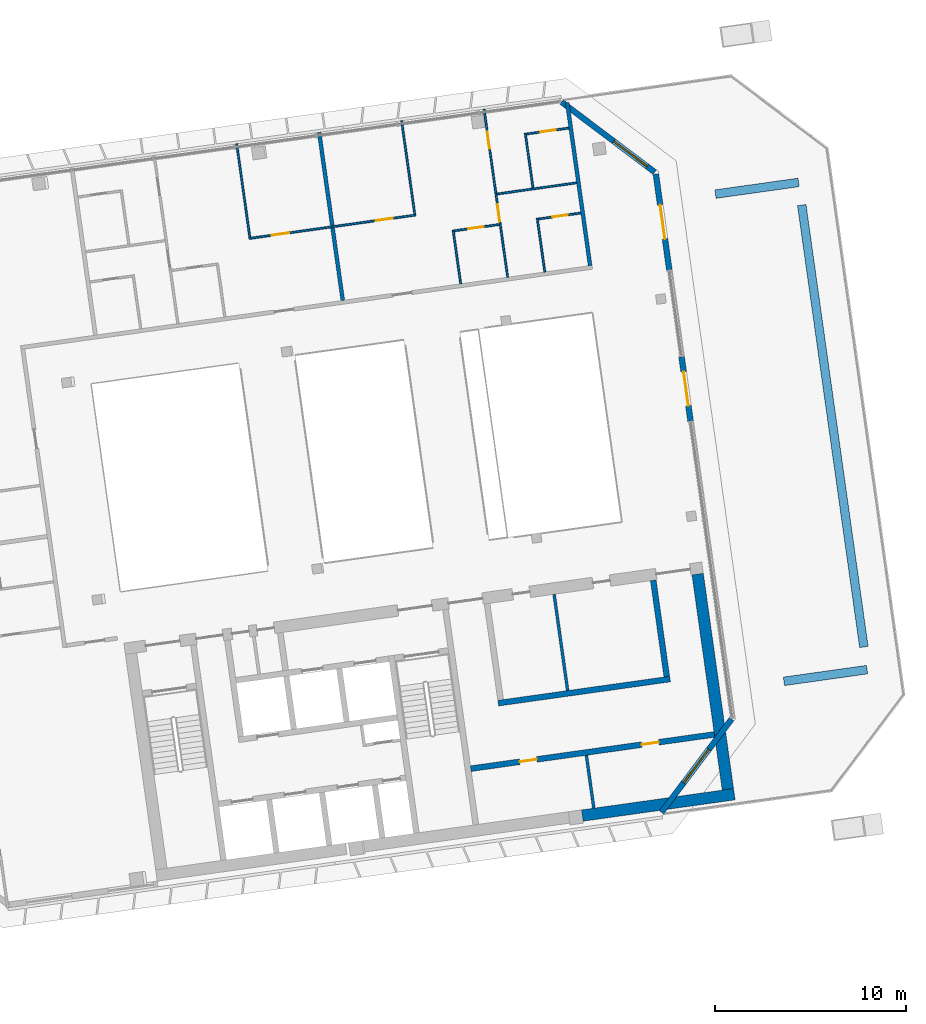
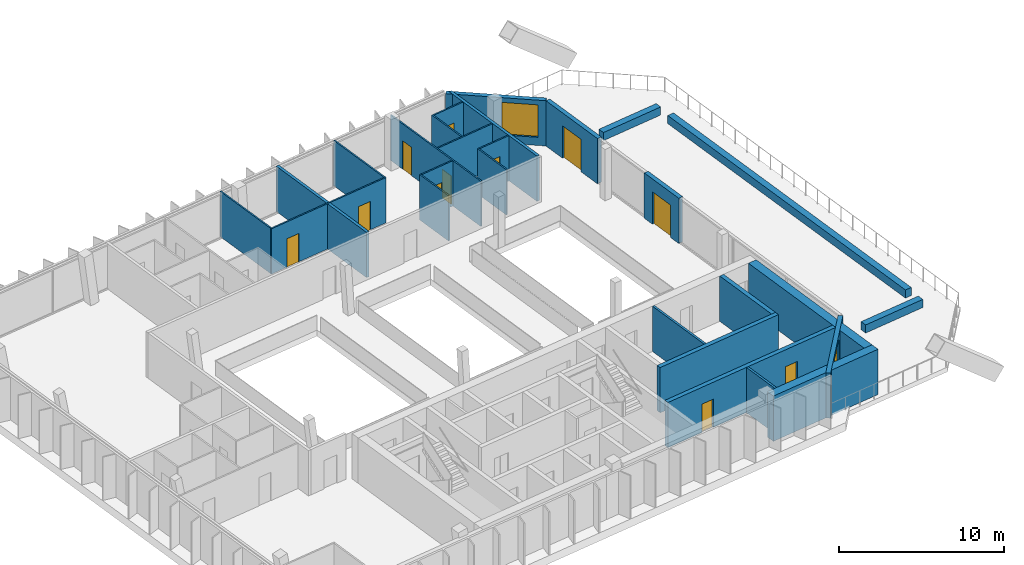
# One storey, part 15 of 19: 27 walls, 11 doors, 2 windows, 13 openings.
"""IFC4 building model written with IfcOpenShell, lengths in metres."""

from ifc_helpers import new_model, si_unit, direction, frame, frame_2d, origin, place, context, subcontext, project, spatial, rectangle, extrude, material, layer, layer_set, type_object, element, fill, save


model = new_model("IFC4")

# Units and contexts
model_context = context("Model", 3, precision=1e-05, world=origin(), true_north=direction((0.0, 1.0)))
body_context = subcontext(model_context, "Body", "Model", "MODEL_VIEW")
ifc_project = project(units=[si_unit("LENGTHUNIT", "METRE"), si_unit("AREAUNIT", "SQUARE_METRE"), si_unit("VOLUMEUNIT", "CUBIC_METRE"), si_unit("PLANEANGLEUNIT", "RADIAN"), si_unit("MASSUNIT", "GRAM", prefix="KILO")], contexts=[model_context])

# Site, building, storey
site_placement = place(None, origin())
site = spatial("IfcSite", under=ifc_project, at=site_placement, CompositionType="ELEMENT")
building_placement = place(site_placement, origin())
building = spatial("IfcBuilding", under=site, at=building_placement, Name="Mirante Cascada Hotel Towers", CompositionType="ELEMENT")
storey_placement = place(building_placement, frame((0.0, 0.0, 231.8)))
storey = spatial("IfcBuildingStorey", under=building, at=storey_placement, Name="L55", CompositionType="ELEMENT", Elevation=231.8)

# Walls
ifc_material_1 = material(Name="Fire-rated plasterboard on metal studs")
ifc_layer_1 = layer(ifc_material_1, 0.2)
ifc_layer_set_1 = layer_set([ifc_layer_1], Name="Compartment wall 200 EI 120")
wall_type_1 = type_object("IfcWallType", Name="Compartment wall 200 EI 120", PredefinedType="PARTITIONING", material=ifc_layer_set_1)
wall_1_placement = place(storey_placement, frame((47.0829, 10.6001, 0.0), z_axis=(0.0, 0.0, 1.0), x_axis=(-0.1391794, 0.9902672, 0.0)))
element("IfcWall", 1, at=wall_1_placement, inside=storey, type_object=wall_type_1, Name="Wall 2-L55-30", PredefinedType="PARTITIONING", context=body_context, shape_type="SweptSolid", body=[
    extrude(rectangle(XDim=8.9, YDim=0.2, at=frame_2d((4.45, 0.0))), origin(), (0.0, 0.0, 1.0), 3.35),
])
wall_2_placement = place(storey_placement, frame((60.0533, 12.423, 0.0), z_axis=(0.0, 0.0, 1.0), x_axis=(-0.1391698, 0.9902685, 0.0)))
element("IfcWall", 2, at=wall_2_placement, inside=storey, type_object=wall_type_1, Name="Wall 2-L55-36", PredefinedType="PARTITIONING", context=body_context, shape_type="SweptSolid", body=[
    extrude(rectangle(XDim=8.6319, YDim=0.2, at=frame_2d((4.316, 0.0))), origin(), (0.0, 0.0, 1.0), 3.35),
])
ifc_material_2 = material(Name="Masonry block", Category="masonry")
ifc_layer_2 = layer(ifc_material_2, 0.15)
ifc_layer_set_2 = layer_set([ifc_layer_2], Name="Core room partition 150 block EI 30")
wall_type_2 = type_object("IfcWallType", Name="Core room partition 150 block EI 30", PredefinedType="PARTITIONING", material=ifc_layer_set_2)
wall_3_placement = place(storey_placement, frame((60.2465, -16.027, 0.0), z_axis=(0.0, 0.0, 1.0), x_axis=(-0.1391459, 0.9902719, 0.0)))
element("IfcWall", 3, at=wall_3_placement, inside=storey, type_object=wall_type_2, Name="Core wall partition T2 L55 6", PredefinedType="PARTITIONING", context=body_context, shape_type="SweptSolid", body=[
    extrude(rectangle(XDim=2.7999, YDim=0.15, at=frame_2d((1.4, 0.0))), origin(), (0.0, 0.0, 1.0), 3.35),
])
wall_4_placement = place(storey_placement, frame((58.8746, -9.8579, 0.0), z_axis=(0.0, 0.0, 1.0), x_axis=(-0.1391755, 0.9902677, 0.0)))
element("IfcWall", 4, at=wall_4_placement, inside=storey, type_object=wall_type_2, Name="Core wall partition T2 L55 7", PredefinedType="PARTITIONING", context=body_context, shape_type="SweptSolid", body=[
    extrude(rectangle(XDim=5.1, YDim=0.15, at=frame_2d((2.55, 0.0))), origin(), (0.0, 0.0, 1.0), 3.35),
])

# Wall, openings, doors
ifc_material_3 = material(Name="Masonry block", Category="masonry")
ifc_layer_3 = layer(ifc_material_3, 0.3)
ifc_layer_set_3 = layer_set([ifc_layer_3], Name="Core wall 300 block EI 120")
wall_type_3 = type_object("IfcWallType", Name="Core wall 300 block EI 120", PredefinedType="PARTITIONING", material=ifc_layer_set_3)
wall_5_placement = place(storey_placement, frame((53.7953, -13.9547, 0.0), z_axis=(0.0, 0.0, 1.0), x_axis=(0.9902674, 0.1391777, 0.0)))
wall_5 = element("IfcWall", 5, at=wall_5_placement, inside=storey, type_object=wall_type_3, Name="Core wall partition T2 L55 5", PredefinedType="PARTITIONING", context=body_context, shape_type="SweptSolid", body=[
    extrude(rectangle(XDim=12.9001, YDim=0.3, at=frame_2d((6.45, 0.0))), origin(), (0.0, 0.0, 1.0), 3.35),
])
opening_1_placement = place(wall_5_placement, frame((2.6, 0.0, 0.0)))
opening_1 = element("IfcOpeningElement", 6, at=opening_1_placement, cuts=wall_5, Name="Opening D2-55-C18", PredefinedType="OPENING", context=body_context, shape_type="SweptSolid", body=[
    extrude(rectangle(XDim=0.9, YDim=2.1, at=frame_2d((0.45, 1.05))), frame((0.0, 0.15, 0.0), z_axis=(0.0, -1.0, 0.0), x_axis=(1.0, 0.0, 0.0)), (0.0, 0.0, 1.0), 0.3),
])
opening_2_placement = place(wall_5_placement, frame((9.05, 0.0, 0.0)))
opening_2 = element("IfcOpeningElement", 7, at=opening_2_placement, cuts=wall_5, Name="Opening D2-55-C19", PredefinedType="OPENING", context=body_context, shape_type="SweptSolid", body=[
    extrude(rectangle(XDim=0.9, YDim=2.1, at=frame_2d((0.45, 1.05))), frame((0.0, 0.15, 0.0), z_axis=(0.0, -1.0, 0.0), x_axis=(1.0, 0.0, 0.0)), (0.0, 0.0, 1.0), 0.3),
])
ifc_material_4 = material(Name="Hollow metal fire door leaf")
door_type_1 = type_object("IfcDoorType", Name="Fire door 900x2100 FD60", OperationType="NOTDEFINED", PredefinedType="DOOR", material=ifc_material_4)
door_1_placement = place(opening_1_placement, frame((0.9, 0.0, 0.0), z_axis=(0.0, 0.0, 1.0), x_axis=(-1.0, 0.0, 0.0)))
door_1 = element("IfcDoor", 8, at=door_1_placement, inside=storey, type_object=door_type_1, Name="Room door T2 L55 18", OperationType="SINGLE_SWING_LEFT", OverallHeight=2.1, OverallWidth=0.9, PredefinedType="DOOR", context=body_context, shape_type="SweptSolid", body=[
    extrude(rectangle(XDim=0.9, YDim=2.1, at=frame_2d((0.45, 1.05))), frame((0.0, 0.025, 0.0), z_axis=(0.0, -1.0, 0.0), x_axis=(1.0, 0.0, 0.0)), (0.0, 0.0, 1.0), 0.05),
])
fill(opening_1, door_1)
door_2_placement = place(opening_2_placement, frame((0.9, 0.0, 0.0), z_axis=(0.0, 0.0, 1.0), x_axis=(-1.0, 0.0, 0.0)))
door_2 = element("IfcDoor", 9, at=door_2_placement, inside=storey, type_object=door_type_1, Name="Room door T2 L55 19", OperationType="SINGLE_SWING_RIGHT", OverallHeight=2.1, OverallWidth=0.9, PredefinedType="DOOR", context=body_context, shape_type="SweptSolid", body=[
    extrude(rectangle(XDim=0.9, YDim=2.1, at=frame_2d((0.45, 1.05))), frame((0.0, 0.025, 0.0), z_axis=(0.0, -1.0, 0.0), x_axis=(1.0, 0.0, 0.0)), (0.0, 0.0, 1.0), 0.05),
])
fill(opening_2, door_2)

# Wall, opening, door
ifc_material_5 = material(Name="Plasterboard on metal studs")
ifc_layer_4 = layer(ifc_material_5, 0.1)
ifc_layer_set_4 = layer_set([ifc_layer_4], Name="Partition 100")
wall_type_4 = type_object("IfcWallType", Name="Partition 100", PredefinedType="PARTITIONING", material=ifc_layer_set_4)
wall_6_placement = place(storey_placement, frame((55.2906, 14.5811, 0.0), z_axis=(0.0, 0.0, 1.0), x_axis=(-0.9902711, -0.1391515, 0.0)))
wall_6 = element("IfcWall", 10, at=wall_6_placement, inside=storey, type_object=wall_type_4, Name="Wall 2-L55-11", PredefinedType="PARTITIONING", context=body_context, shape_type="SweptSolid", body=[
    extrude(rectangle(XDim=2.3873, YDim=0.1, at=frame_2d((1.1937, 0.0))), origin(), (0.0, 0.0, 1.0), 3.35),
])
opening_3_placement = place(wall_6_placement, frame((0.8373, 0.0, 0.0)))
opening_3 = element("IfcOpeningElement", 11, at=opening_3_placement, cuts=wall_6, Name="Opening D2-L55-08", PredefinedType="OPENING", context=body_context, shape_type="SweptSolid", body=[
    extrude(rectangle(XDim=0.8, YDim=2.1, at=frame_2d((0.4, 1.05))), frame((0.0, 0.05, 0.0), z_axis=(0.0, -1.0, 0.0), x_axis=(1.0, 0.0, 0.0)), (0.0, 0.0, 1.0), 0.1),
])
ifc_material_6 = material(Name="Timber door leaf", Category="wood")
door_type_2 = type_object("IfcDoorType", Name="Bathroom door DG4 800x2100", OperationType="SINGLE_SWING_LEFT", PredefinedType="DOOR", material=ifc_material_6)
door_3_placement = place(opening_3_placement, frame((0.8, 0.0, 0.0), z_axis=(0.0, 0.0, 1.0), x_axis=(-1.0, 0.0, 0.0)))
door_3 = element("IfcDoor", 12, at=door_3_placement, inside=storey, type_object=door_type_2, Name="Door D2-L55-08", OperationType="SINGLE_SWING_RIGHT", OverallHeight=2.1, OverallWidth=0.8, PredefinedType="DOOR", context=body_context, shape_type="SweptSolid", body=[
    extrude(rectangle(XDim=0.8, YDim=2.1, at=frame_2d((0.4, 1.05))), frame((0.0, 0.025, 0.0), z_axis=(0.0, -1.0, 0.0), x_axis=(1.0, 0.0, 0.0)), (0.0, 0.0, 1.0), 0.05),
])
fill(opening_3, door_3)

wall_7_placement = place(storey_placement, frame((57.3365, 14.8687, 0.0), z_axis=(0.0, 0.0, 1.0), x_axis=(0.9902705, 0.1391561, 0.0)))
wall_7 = element("IfcWall", 13, at=wall_7_placement, inside=storey, type_object=wall_type_4, Name="Wall 2-L55-12", PredefinedType="PARTITIONING", context=body_context, shape_type="SweptSolid", body=[
    extrude(rectangle(XDim=2.25, YDim=0.1, at=frame_2d((1.125, 0.0))), origin(), (0.0, 0.0, 1.0), 3.35),
])
opening_4_placement = place(wall_7_placement, frame((0.75, 0.0, 0.0)))
opening_4 = element("IfcOpeningElement", 14, at=opening_4_placement, cuts=wall_7, Name="Opening D2-L55-09", PredefinedType="OPENING", context=body_context, shape_type="SweptSolid", body=[
    extrude(rectangle(XDim=0.8, YDim=2.1, at=frame_2d((0.4, 1.05))), frame((0.0, 0.05, 0.0), z_axis=(0.0, -1.0, 0.0), x_axis=(1.0, 0.0, 0.0)), (0.0, 0.0, 1.0), 0.1),
])
door_4_placement = place(opening_4_placement, frame((0.8, 0.0, 0.0), z_axis=(0.0, 0.0, 1.0), x_axis=(-1.0, 0.0, 0.0)))
door_4 = element("IfcDoor", 15, at=door_4_placement, inside=storey, type_object=door_type_2, Name="Door D2-L55-09", OperationType="SINGLE_SWING_RIGHT", OverallHeight=2.1, OverallWidth=0.8, PredefinedType="DOOR", context=body_context, shape_type="SweptSolid", body=[
    extrude(rectangle(XDim=0.8, YDim=2.1, at=frame_2d((0.4, 1.05))), frame((0.0, 0.025, 0.0), z_axis=(0.0, -1.0, 0.0), x_axis=(1.0, 0.0, 0.0)), (0.0, 0.0, 1.0), 0.05),
])
fill(opening_4, door_4)

# Wall, openings, doors
wall_8_placement = place(storey_placement, frame((50.913, 15.0767, 0.0), z_axis=(0.0, 0.0, 1.0), x_axis=(-0.9902689, -0.1391669, 0.0)))
wall_8 = element("IfcWall", 16, at=wall_8_placement, inside=storey, type_object=wall_type_4, Name="Wall 2-L55-13", PredefinedType="PARTITIONING", context=body_context, shape_type="SweptSolid", body=[
    extrude(rectangle(XDim=8.8318, YDim=0.1, at=frame_2d((4.4159, 0.0))), origin(), (0.0, 0.0, 1.0), 3.35),
])
opening_5_placement = place(wall_8_placement, frame((6.7159, 0.0, 0.0)))
opening_5 = element("IfcOpeningElement", 17, at=opening_5_placement, cuts=wall_8, Name="Opening D2-L55-10", PredefinedType="OPENING", context=body_context, shape_type="SweptSolid", body=[
    extrude(rectangle(XDim=0.9, YDim=2.1, at=frame_2d((0.45, 1.05))), frame((0.0, 0.05, 0.0), z_axis=(0.0, -1.0, 0.0), x_axis=(1.0, 0.0, 0.0)), (0.0, 0.0, 1.0), 0.1),
])
opening_6_placement = place(wall_8_placement, frame((1.2159, 0.0, 0.0)))
opening_6 = element("IfcOpeningElement", 18, at=opening_6_placement, cuts=wall_8, Name="Opening D2-L55-11", PredefinedType="OPENING", context=body_context, shape_type="SweptSolid", body=[
    extrude(rectangle(XDim=0.9, YDim=2.1, at=frame_2d((0.45, 1.05))), frame((0.0, 0.05, 0.0), z_axis=(0.0, -1.0, 0.0), x_axis=(1.0, 0.0, 0.0)), (0.0, 0.0, 1.0), 0.1),
])
ifc_material_7 = material(Name="Timber door leaf", Category="wood")
door_type_3 = type_object("IfcDoorType", Name="Room door DG3 900x2100", OperationType="SINGLE_SWING_LEFT", PredefinedType="DOOR", material=ifc_material_7)
door_5_placement = place(opening_5_placement, frame((0.9, 0.0, 0.0), z_axis=(0.0, 0.0, 1.0), x_axis=(-1.0, 0.0, 0.0)))
door_5 = element("IfcDoor", 19, at=door_5_placement, inside=storey, type_object=door_type_3, Name="Door D2-L55-10", OperationType="SINGLE_SWING_RIGHT", OverallHeight=2.1, OverallWidth=0.9, PredefinedType="DOOR", context=body_context, shape_type="SweptSolid", body=[
    extrude(rectangle(XDim=0.9, YDim=2.1, at=frame_2d((0.45, 1.05))), frame((0.0, 0.025, 0.0), z_axis=(0.0, -1.0, 0.0), x_axis=(1.0, 0.0, 0.0)), (0.0, 0.0, 1.0), 0.05),
])
fill(opening_5, door_5)
door_6_placement = place(opening_6_placement, frame((0.9, 0.0, 0.0), z_axis=(0.0, 0.0, 1.0), x_axis=(-1.0, 0.0, 0.0)))
door_6 = element("IfcDoor", 20, at=door_6_placement, inside=storey, type_object=door_type_3, Name="Door D2-L55-11", OperationType="SINGLE_SWING_RIGHT", OverallHeight=2.1, OverallWidth=0.9, PredefinedType="DOOR", context=body_context, shape_type="SweptSolid", body=[
    extrude(rectangle(XDim=0.9, YDim=2.1, at=frame_2d((0.45, 1.05))), frame((0.0, 0.025, 0.0), z_axis=(0.0, -1.0, 0.0), x_axis=(1.0, 0.0, 0.0)), (0.0, 0.0, 1.0), 0.05),
])
fill(opening_6, door_6)

# Wall
wall_9_placement = place(storey_placement, frame((59.3419, 16.7662, 0.0), z_axis=(0.0, 0.0, 1.0), x_axis=(-0.99027, -0.1391596, 0.0)))
element("IfcWall", 21, at=wall_9_placement, inside=storey, type_object=wall_type_4, Name="Wall 2-L55-15", PredefinedType="PARTITIONING", context=body_context, shape_type="SweptSolid", body=[
    extrude(rectangle(XDim=4.216, YDim=0.1, at=frame_2d((2.108, 0.0))), origin(), (0.0, 0.0, 1.0), 3.35),
])

# Wall, opening, door
wall_10_placement = place(storey_placement, frame((58.9383, 19.638, 0.0), z_axis=(0.0, 0.0, 1.0), x_axis=(-0.9902705, -0.1391561, 0.0)))
wall_10 = element("IfcWall", 22, at=wall_10_placement, inside=storey, type_object=wall_type_4, Name="Wall 2-L55-17", PredefinedType="PARTITIONING", context=body_context, shape_type="SweptSolid", body=[
    extrude(rectangle(XDim=2.25, YDim=0.1, at=frame_2d((1.125, 0.0))), origin(), (0.0, 0.0, 1.0), 3.35),
])
opening_7_placement = place(wall_10_placement, frame((0.7, 0.0, 0.0)))
opening_7 = element("IfcOpeningElement", 23, at=opening_7_placement, cuts=wall_10, Name="Opening D2-L55-13", PredefinedType="OPENING", context=body_context, shape_type="SweptSolid", body=[
    extrude(rectangle(XDim=0.8, YDim=2.1, at=frame_2d((0.4, 1.05))), frame((0.0, 0.05, 0.0), z_axis=(0.0, -1.0, 0.0), x_axis=(1.0, 0.0, 0.0)), (0.0, 0.0, 1.0), 0.1),
])
door_7_placement = place(opening_7_placement, origin())
door_7 = element("IfcDoor", 24, at=door_7_placement, inside=storey, type_object=door_type_2, Name="Door D2-L55-13", OperationType="SINGLE_SWING_LEFT", OverallHeight=2.1, OverallWidth=0.8, PredefinedType="DOOR", context=body_context, shape_type="SweptSolid", body=[
    extrude(rectangle(XDim=0.8, YDim=2.1, at=frame_2d((0.4, 1.05))), frame((0.0, 0.025, 0.0), z_axis=(0.0, -1.0, 0.0), x_axis=(1.0, 0.0, 0.0)), (0.0, 0.0, 1.0), 0.05),
])
fill(opening_7, door_7)

# Walls
wall_11_placement = place(storey_placement, frame((41.5207, 18.8059, 0.0), z_axis=(0.0, 0.0, 1.0), x_axis=(0.1391697, -0.9902685, 0.0)))
element("IfcWall", 25, at=wall_11_placement, inside=storey, type_object=wall_type_4, Name="Wall 2-L55-29", PredefinedType="PARTITIONING", context=body_context, shape_type="SweptSolid", body=[
    extrude(rectangle(XDim=4.9501, YDim=0.1, at=frame_2d((2.475, 0.0))), origin(), (0.0, 0.0, 1.0), 3.35),
])
wall_12_placement = place(storey_placement, frame((50.1676, 20.0211, 0.0), z_axis=(0.0, 0.0, 1.0), x_axis=(0.1391725, -0.9902682, 0.0)))
element("IfcWall", 26, at=wall_12_placement, inside=storey, type_object=wall_type_4, Name="Wall 2-L55-31", PredefinedType="PARTITIONING", context=body_context, shape_type="SweptSolid", body=[
    extrude(rectangle(XDim=4.95, YDim=0.1, at=frame_2d((2.475, 0.0))), origin(), (0.0, 0.0, 1.0), 3.35),
])
wall_13_placement = place(storey_placement, frame((53.2667, 11.4692, 0.0), z_axis=(0.0, 0.0, 1.0), x_axis=(-0.1391957, 0.9902649, 0.0)))
element("IfcWall", 27, at=wall_13_placement, inside=storey, type_object=wall_type_4, Name="Wall 2-L55-32", PredefinedType="PARTITIONING", context=body_context, shape_type="SweptSolid", body=[
    extrude(rectangle(XDim=2.8499, YDim=0.1, at=frame_2d((1.425, 0.0))), origin(), (0.0, 0.0, 1.0), 3.35),
])

# Wall, openings, doors
wall_14_placement = place(storey_placement, frame((54.4911, 20.6287, 0.0), z_axis=(0.0, 0.0, 1.0), x_axis=(0.1391794, -0.9902672, 0.0)))
wall_14 = element("IfcWall", 28, at=wall_14_placement, inside=storey, type_object=wall_type_4, Name="Wall 2-L55-33", PredefinedType="PARTITIONING", context=body_context, shape_type="SweptSolid", body=[
    extrude(rectangle(XDim=8.9, YDim=0.1, at=frame_2d((4.45, 0.0))), origin(), (0.0, 0.0, 1.0), 3.35),
])
opening_8_placement = place(wall_14_placement, frame((5.05, 0.0, 0.0)))
opening_8 = element("IfcOpeningElement", 29, at=opening_8_placement, cuts=wall_14, Name="Opening D2-L55-21", PredefinedType="OPENING", context=body_context, shape_type="SweptSolid", body=[
    extrude(rectangle(XDim=0.9, YDim=2.1, at=frame_2d((0.45, 1.05))), frame((0.0, 0.05, 0.0), z_axis=(0.0, -1.0, 0.0), x_axis=(1.0, 0.0, 0.0)), (0.0, 0.0, 1.0), 0.1),
])
opening_9_placement = place(wall_14_placement, frame((1.2, 0.0, 0.0)))
opening_9 = element("IfcOpeningElement", 30, at=opening_9_placement, cuts=wall_14, Name="Opening D2-L55-22", PredefinedType="OPENING", context=body_context, shape_type="SweptSolid", body=[
    extrude(rectangle(XDim=0.9, YDim=2.1, at=frame_2d((0.45, 1.05))), frame((0.0, 0.05, 0.0), z_axis=(0.0, -1.0, 0.0), x_axis=(1.0, 0.0, 0.0)), (0.0, 0.0, 1.0), 0.1),
])
door_8_placement = place(opening_8_placement, frame((0.9, 0.0, 0.0), z_axis=(0.0, 0.0, 1.0), x_axis=(-1.0, 0.0, 0.0)))
door_8 = element("IfcDoor", 31, at=door_8_placement, inside=storey, type_object=door_type_3, Name="Door D2-L55-21", OperationType="SINGLE_SWING_RIGHT", OverallHeight=2.1, OverallWidth=0.9, PredefinedType="DOOR", context=body_context, shape_type="SweptSolid", body=[
    extrude(rectangle(XDim=0.9, YDim=2.1, at=frame_2d((0.45, 1.05))), frame((0.0, 0.025, 0.0), z_axis=(0.0, -1.0, 0.0), x_axis=(1.0, 0.0, 0.0)), (0.0, 0.0, 1.0), 0.05),
])
fill(opening_8, door_8)
door_9_placement = place(opening_9_placement, frame((0.9, 0.0, 0.0), z_axis=(0.0, 0.0, 1.0), x_axis=(-1.0, 0.0, 0.0)))
door_9 = element("IfcDoor", 32, at=door_9_placement, inside=storey, type_object=door_type_3, Name="Door D2-L55-22", OperationType="SINGLE_SWING_RIGHT", OverallHeight=2.1, OverallWidth=0.9, PredefinedType="DOOR", context=body_context, shape_type="SweptSolid", body=[
    extrude(rectangle(XDim=0.9, YDim=2.1, at=frame_2d((0.45, 1.05))), frame((0.0, 0.025, 0.0), z_axis=(0.0, -1.0, 0.0), x_axis=(1.0, 0.0, 0.0)), (0.0, 0.0, 1.0), 0.05),
])
fill(opening_9, door_9)

# Walls
wall_15_placement = place(storey_placement, frame((57.6766, 12.089, 0.0), z_axis=(0.0, 0.0, 1.0), x_axis=(-0.1391613, 0.9902697, 0.0)))
element("IfcWall", 33, at=wall_15_placement, inside=storey, type_object=wall_type_4, Name="Wall 2-L55-34", PredefinedType="PARTITIONING", context=body_context, shape_type="SweptSolid", body=[
    extrude(rectangle(XDim=2.8499, YDim=0.1, at=frame_2d((1.425, 0.0))), origin(), (0.0, 0.0, 1.0), 3.35),
])
wall_16_placement = place(storey_placement, frame((56.6537, 19.3674, 0.0), z_axis=(0.0, 0.0, 1.0), x_axis=(0.1391714, -0.9902683, 0.0)))
element("IfcWall", 34, at=wall_16_placement, inside=storey, type_object=wall_type_4, Name="Wall 2-L55-35", PredefinedType="PARTITIONING", context=body_context, shape_type="SweptSolid", body=[
    extrude(rectangle(XDim=2.9, YDim=0.1, at=frame_2d((1.45, 0.0))), origin(), (0.0, 0.0, 1.0), 3.35),
])
ifc_material_8 = material(Name="Precast concrete C40/50", Category="concrete")
ifc_layer_5 = layer(ifc_material_8, 0.45)
ifc_layer_set_5 = layer_set([ifc_layer_5], Name="Planter wall 450 concrete C40/50")
wall_type_5 = type_object("IfcWallType", Name="Planter wall 450 concrete C40/50", PredefinedType="PARAPET", material=ifc_layer_set_5)
wall_17_placement = place(storey_placement, frame((70.2177, -9.3745, 0.0), z_axis=(0.0, 0.0, 1.0), x_axis=(0.9902701, 0.1391587, 0.0)))
element("IfcWall", 35, at=wall_17_placement, inside=storey, type_object=wall_type_5, Name="PLANTER T2 L55 bed 1", PredefinedType="PARAPET", context=body_context, shape_type="SweptSolid", body=[
    extrude(rectangle(XDim=4.4, YDim=0.45, at=frame_2d((2.2, 0.0))), origin(), (0.0, 0.0, 1.0), 0.6),
])
wall_18_placement = place(storey_placement, frame((66.6271, 16.1744, 0.0), z_axis=(0.0, 0.0, 1.0), x_axis=(0.9902696, 0.1391619, 0.0)))
element("IfcWall", 36, at=wall_18_placement, inside=storey, type_object=wall_type_5, Name="PLANTER T2 L55 bed 2", PredefinedType="PARAPET", context=body_context, shape_type="SweptSolid", body=[
    extrude(rectangle(XDim=4.3999, YDim=0.45, at=frame_2d((2.2, 0.0))), origin(), (0.0, 0.0, 1.0), 0.6),
])
wall_19_placement = place(storey_placement, frame((74.4079, -7.5739, 0.0), z_axis=(0.0, 0.0, 1.0), x_axis=(-0.1391708, 0.9902684, 0.0)))
element("IfcWall", 37, at=wall_19_placement, inside=storey, type_object=wall_type_5, Name="PLANTER T2 L55 bed 3", PredefinedType="PARAPET", context=body_context, shape_type="SweptSolid", body=[
    extrude(rectangle(XDim=23.4, YDim=0.45, at=frame_2d((11.7, 0.0))), origin(), (0.0, 0.0, 1.0), 0.6),
])

# Wall, opening, window
ifc_material_9 = material(Name="Precast concrete C40/50", Category="concrete")
ifc_layer_6 = layer(ifc_material_9, 0.3)
ifc_layer_set_6 = layer_set([ifc_layer_6], Name="Precast concrete C40/50 cladding wall 300")
wall_type_6 = type_object("IfcWallType", Name="Precast concrete C40/50 cladding wall 300", PredefinedType="STANDARD", material=ifc_layer_set_6)
wall_20_placement = place(storey_placement, frame((63.7926, -16.2417, 0.0), z_axis=(0.0, 0.0, 1.0), x_axis=(0.6018245, 0.7986283, 0.0)))
wall_20 = element("IfcWall", 38, at=wall_20_placement, inside=storey, type_object=wall_type_6, Name="Corner cladding wall T2 L55 rear outer", PredefinedType="STANDARD", context=body_context, shape_type="SweptSolid", body=[
    extrude(rectangle(XDim=6.1157, YDim=0.3, at=frame_2d((3.0578, 0.0))), origin(), (0.0, 0.0, 1.0), 3.35),
])
opening_10_placement = place(wall_20_placement, frame((1.9428, 0.0, 0.6)))
opening_10 = element("IfcOpeningElement", 39, at=opening_10_placement, cuts=wall_20, Name="Opening W2-55-03", PredefinedType="OPENING", context=body_context, shape_type="SweptSolid", body=[
    extrude(rectangle(XDim=2.2, YDim=2.4, at=frame_2d((1.1, 1.2))), frame((0.0, 0.15, 0.0), z_axis=(0.0, -1.0, 0.0), x_axis=(1.0, 0.0, 0.0)), (0.0, 0.0, 1.0), 0.3),
])
ifc_material_10 = material(Name="Aluminium frame with clear double glazing", Category="aluminium")
window_type = type_object("IfcWindowType", Name="Corner suite window 2200x2400", PartitioningType="DOUBLE_PANEL_VERTICAL", PredefinedType="WINDOW", material=ifc_material_10)
window_1_placement = place(opening_10_placement, origin())
window_1 = element("IfcWindow", 40, at=window_1_placement, inside=storey, type_object=window_type, Name="Window W2-55-03", OverallHeight=2.4, OverallWidth=2.2, PartitioningType="SINGLE_PANEL", PredefinedType="WINDOW", context=body_context, shape_type="SweptSolid", body=[
    extrude(rectangle(XDim=2.2, YDim=2.4, at=frame_2d((1.1, 1.2))), frame((0.0, 0.03, 0.0), z_axis=(0.0, -1.0, 0.0), x_axis=(1.0, 0.0, 0.0)), (0.0, 0.0, 1.0), 0.06),
])
fill(opening_10, window_1)

wall_21_placement = place(storey_placement, frame((63.4422, 17.324, 0.0), z_axis=(0.0, 0.0, 1.0), x_axis=(-0.7986362, 0.6018141, 0.0)))
wall_21 = element("IfcWall", 41, at=wall_21_placement, inside=storey, type_object=wall_type_6, Name="Corner cladding wall T2 L55 outer front", PredefinedType="STANDARD", context=body_context, shape_type="SweptSolid", body=[
    extrude(rectangle(XDim=6.1157, YDim=0.3, at=frame_2d((3.0578, 0.0))), origin(), (0.0, 0.0, 1.0), 3.35),
])
opening_11_placement = place(wall_21_placement, frame((0.4975, 0.0, 0.6)))
opening_11 = element("IfcOpeningElement", 42, at=opening_11_placement, cuts=wall_21, Name="Opening W2-55-04", PredefinedType="OPENING", context=body_context, shape_type="SweptSolid", body=[
    extrude(rectangle(XDim=2.2, YDim=2.4, at=frame_2d((1.1, 1.2))), frame((0.0, 0.15, 0.0), z_axis=(0.0, -1.0, 0.0), x_axis=(1.0, 0.0, 0.0)), (0.0, 0.0, 1.0), 0.3),
])
window_2_placement = place(opening_11_placement, origin())
window_2 = element("IfcWindow", 43, at=window_2_placement, inside=storey, type_object=window_type, Name="Window W2-55-04", OverallHeight=2.4, OverallWidth=2.2, PartitioningType="SINGLE_PANEL", PredefinedType="WINDOW", context=body_context, shape_type="SweptSolid", body=[
    extrude(rectangle(XDim=2.2, YDim=2.4, at=frame_2d((1.1, 1.2))), frame((0.0, 0.03, 0.0), z_axis=(0.0, -1.0, 0.0), x_axis=(1.0, 0.0, 0.0)), (0.0, 0.0, 1.0), 0.06),
])
fill(opening_11, window_2)

# Wall, opening, door
ifc_material_11 = material(Name="Precast concrete C40/50", Category="concrete")
ifc_layer_7 = layer(ifc_material_11, 0.3)
ifc_layer_set_7 = layer_set([ifc_layer_7], Name="Precast concrete C40/50 terrace wall 300")
wall_type_7 = type_object("IfcWallType", Name="Precast concrete C40/50 terrace wall 300", PredefinedType="STANDARD", material=ifc_layer_set_7)
wall_22_placement = place(storey_placement, frame((65.3202, 4.2767, 0.0), z_axis=(0.0, 0.0, 1.0), x_axis=(-0.1391769, 0.9902675, 0.0)))
wall_22 = element("IfcWall", 44, at=wall_22_placement, inside=storey, type_object=wall_type_7, Name="Lounge door pier wall T2 L55 2", PredefinedType="STANDARD", context=body_context, shape_type="SweptSolid", body=[
    extrude(rectangle(XDim=3.4, YDim=0.3, at=frame_2d((1.7, 0.0))), origin(), (0.0, 0.0, 1.0), 3.35),
])
opening_12_placement = place(wall_22_placement, frame((0.8, 0.0, 0.0)))
opening_12 = element("IfcOpeningElement", 45, at=opening_12_placement, cuts=wall_22, Name="Opening D2-55-91", PredefinedType="OPENING", context=body_context, shape_type="SweptSolid", body=[
    extrude(rectangle(XDim=1.8, YDim=2.4, at=frame_2d((0.9, 1.2))), frame((0.0, 0.15, 0.0), z_axis=(0.0, -1.0, 0.0), x_axis=(1.0, 0.0, 0.0)), (0.0, 0.0, 1.0), 0.3),
])
ifc_material_12 = material(Name="Aluminium frame with clear laminated glazing", Category="aluminium")
door_type_4 = type_object("IfcDoorType", Name="Terrace double door 1800x2400", OperationType="DOUBLE_DOOR_SINGLE_SWING", PredefinedType="DOOR", material=ifc_material_12)
door_10_placement = place(opening_12_placement, origin())
door_10 = element("IfcDoor", 46, at=door_10_placement, inside=storey, type_object=door_type_4, Name="Terrace door D2-55-91", OperationType="DOUBLE_DOOR_SINGLE_SWING", OverallHeight=2.4, OverallWidth=1.8, PredefinedType="DOOR", context=body_context, shape_type="SweptSolid", body=[
    extrude(rectangle(XDim=0.895, YDim=2.4, at=frame_2d((0.4475, 1.2))), frame((0.0, 0.025, 0.0), z_axis=(0.0, -1.0, 0.0), x_axis=(1.0, 0.0, 0.0)), (0.0, 0.0, 1.0), 0.05),
    extrude(rectangle(XDim=0.895, YDim=2.4, at=frame_2d((1.3525, 1.2))), frame((0.0, 0.025, 0.0), z_axis=(0.0, -1.0, 0.0), x_axis=(1.0, 0.0, 0.0)), (0.0, 0.0, 1.0), 0.05),
])
fill(opening_12, door_10)

wall_23_placement = place(storey_placement, frame((64.2068, 12.1988, 0.0), z_axis=(0.0, 0.0, 1.0), x_axis=(-0.1391676, 0.9902688, 0.0)))
wall_23 = element("IfcWall", 47, at=wall_23_placement, inside=storey, type_object=wall_type_7, Name="Lounge door pier wall T2 L55 4", PredefinedType="STANDARD", context=body_context, shape_type="SweptSolid", body=[
    extrude(rectangle(XDim=5.0759, YDim=0.3, at=frame_2d((2.538, 0.0))), origin(), (0.0, 0.0, 1.0), 3.35),
])
opening_13_placement = place(wall_23_placement, frame((1.6379, 0.0, 0.0)))
opening_13 = element("IfcOpeningElement", 48, at=opening_13_placement, cuts=wall_23, Name="Opening D2-55-92", PredefinedType="OPENING", context=body_context, shape_type="SweptSolid", body=[
    extrude(rectangle(XDim=1.8, YDim=2.4, at=frame_2d((0.9, 1.2))), frame((0.0, 0.15, 0.0), z_axis=(0.0, -1.0, 0.0), x_axis=(1.0, 0.0, 0.0)), (0.0, 0.0, 1.0), 0.3),
])
door_11_placement = place(opening_13_placement, origin())
door_11 = element("IfcDoor", 49, at=door_11_placement, inside=storey, type_object=door_type_4, Name="Terrace door D2-55-92", OperationType="DOUBLE_DOOR_SINGLE_SWING", OverallHeight=2.4, OverallWidth=1.8, PredefinedType="DOOR", context=body_context, shape_type="SweptSolid", body=[
    extrude(rectangle(XDim=0.895, YDim=2.4, at=frame_2d((0.4475, 1.2))), frame((0.0, 0.025, 0.0), z_axis=(0.0, -1.0, 0.0), x_axis=(1.0, 0.0, 0.0)), (0.0, 0.0, 1.0), 0.05),
    extrude(rectangle(XDim=0.895, YDim=2.4, at=frame_2d((1.3525, 1.2))), frame((0.0, 0.025, 0.0), z_axis=(0.0, -1.0, 0.0), x_axis=(1.0, 0.0, 0.0)), (0.0, 0.0, 1.0), 0.05),
])
fill(opening_13, door_11)

# Walls
ifc_material_13 = material(Name="Concrete C50/60", Category="concrete")
ifc_layer_8 = layer(ifc_material_13, 0.3)
ifc_layer_set_8 = layer_set([ifc_layer_8], Name="RC core wall 300 C50/60")
wall_type_8 = type_object("IfcWallType", Name="RC core wall 300 C50/60", PredefinedType="SHEAR", material=ifc_layer_set_8)
wall_24_placement = place(storey_placement, frame((55.2315, -10.5214, 0.0), z_axis=(0.0, 0.0, 1.0), x_axis=(0.9902676, 0.1391764, 0.0)))
element("IfcWall", 50, at=wall_24_placement, inside=storey, type_object=wall_type_8, Name="Core wall T2:L55:25", PredefinedType="SHEAR", context=body_context, shape_type="SweptSolid", body=[
    extrude(rectangle(XDim=9.1, YDim=0.3, at=frame_2d((4.55, 0.0))), origin(), (0.0, 0.0, 1.0), 3.35),
])
wall_25_placement = place(storey_placement, frame((64.0735, -9.1272, 0.0), z_axis=(0.0, 0.0, 1.0), x_axis=(-0.1391782, 0.9902673, 0.0)))
element("IfcWall", 51, at=wall_25_placement, inside=storey, type_object=wall_type_8, Name="Core wall T2:L55:27", PredefinedType="SHEAR", context=body_context, shape_type="SweptSolid", body=[
    extrude(rectangle(XDim=5.0999, YDim=0.3, at=frame_2d((2.55, 0.0))), origin(), (0.0, 0.0, 1.0), 3.35),
])
ifc_material_14 = material(Name="Concrete C50/60", Category="concrete")
ifc_layer_9 = layer(ifc_material_14, 0.6)
ifc_layer_set_9 = layer_set([ifc_layer_9], Name="RC core wall 600 C50/60")
wall_type_9 = type_object("IfcWallType", Name="RC core wall 600 C50/60", PredefinedType="SHEAR", material=ifc_layer_set_9)
wall_26_placement = place(storey_placement, frame((59.6446, -16.4145, 0.0), z_axis=(0.0, 0.0, 1.0), x_axis=(0.9902689, 0.1391671, 0.0)))
element("IfcWall", 52, at=wall_26_placement, inside=storey, type_object=wall_type_9, Name="Core wall T2:L55:1.3", PredefinedType="SHEAR", context=body_context, shape_type="SweptSolid", body=[
    extrude(rectangle(XDim=8.05, YDim=0.6, at=frame_2d((4.025, 0.0))), origin(), (0.0, 0.0, 1.0), 3.35),
])
wall_27_placement = place(storey_placement, frame((67.2774, -15.0389, 0.0), z_axis=(0.0, 0.0, 1.0), x_axis=(-0.1391663, 0.990269, 0.0)))
element("IfcWall", 53, at=wall_27_placement, inside=storey, type_object=wall_type_9, Name="Core wall T2:L55:4", PredefinedType="SHEAR", context=body_context, shape_type="SweptSolid", body=[
    extrude(rectangle(XDim=11.4, YDim=0.6, at=frame_2d((5.7, 0.0))), origin(), (0.0, 0.0, 1.0), 3.35),
])

save(model, "model.ifc")
